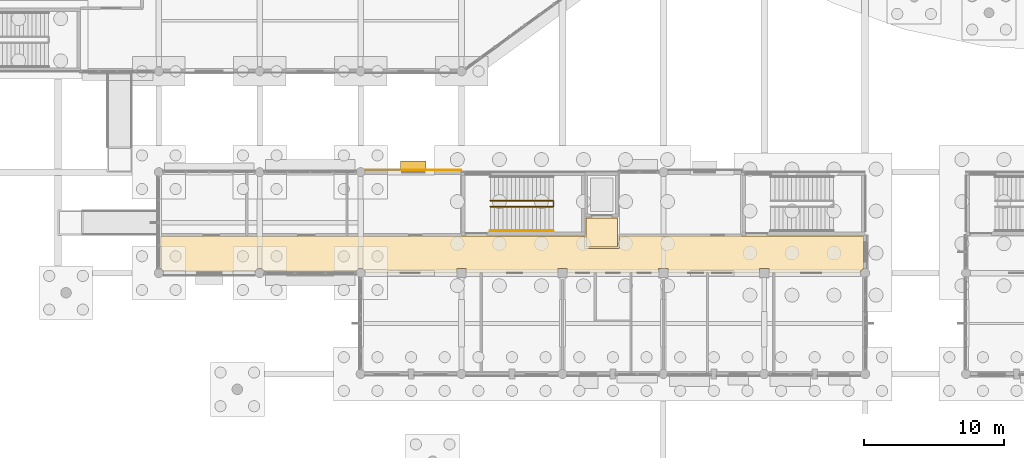
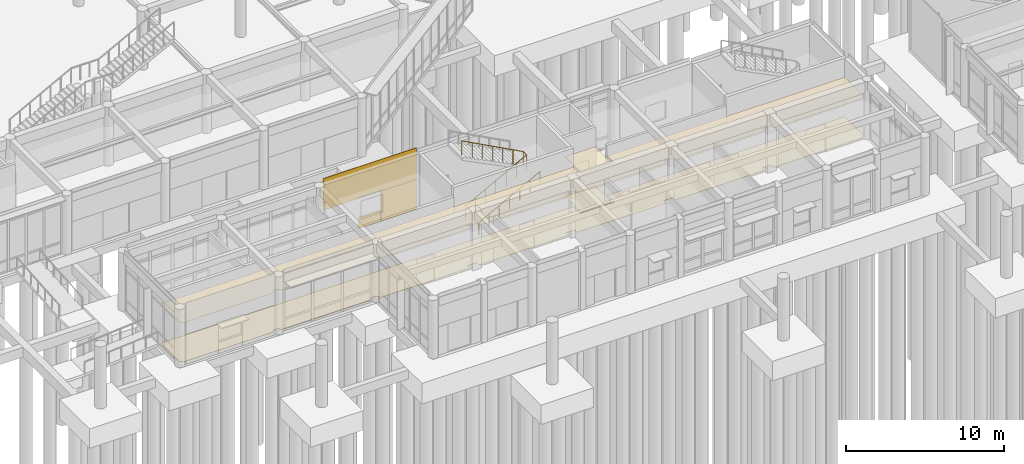
# One storey, part 76 of 103: 7 coverings, 2 railings, 1 shading device.
"""IFC4 building model written with IfcOpenShell, lengths in metres."""

from ifc_helpers import new_model, si_unit, direction, frame, origin, origin_2d, place, context, subcontext, project, spatial, polyline, rectangle, circle, outline, extrude, material, layer, layer_set, type_object, element, save


model = new_model("IFC4")

# Units and contexts
model_context = context("Model", 3, precision=1e-05, world=origin(), true_north=direction((0.0, 1.0)))
body_context = subcontext(model_context, "Body", "Model", "MODEL_VIEW")
ifc_project = project(units=[si_unit("LENGTHUNIT", "METRE"), si_unit("AREAUNIT", "SQUARE_METRE"), si_unit("VOLUMEUNIT", "CUBIC_METRE"), si_unit("PLANEANGLEUNIT", "RADIAN"), si_unit("MASSUNIT", "GRAM", prefix="KILO")], contexts=[model_context])

# Site, building, storey
site_placement = place(None, origin())
site = spatial("IfcSite", under=ifc_project, at=site_placement, CompositionType="ELEMENT")
building_placement = place(site_placement, origin())
building = spatial("IfcBuilding", under=site, at=building_placement, Name="Namkhue Oval Health Centre", CompositionType="ELEMENT")
storey_placement = place(building_placement, origin())
storey = spatial("IfcBuildingStorey", under=building, at=storey_placement, Name="L00", CompositionType="ELEMENT", Elevation=0.0)

# Coverings
ifc_material_1 = material(Name="Acoustic mineral-fibre cleanroom ceiling", Category="gypsum")
ifc_layer_1 = layer(ifc_material_1, 0.02001953125)
ifc_layer_set_1 = layer_set([ifc_layer_1], Name="Acoustic mineral-fibre cleanroom ceiling")
covering_type_1 = type_object("IfcCoveringType", Name="ACOUSTIC CLEANROOM CEILING 20", PredefinedType="CEILING", material=ifc_layer_set_1)
covering_1_placement = place(storey_placement, frame((0.0, 0.0, 3.050048828125)))
element("IfcCovering", 1, at=covering_1_placement, inside=storey, type_object=covering_type_1, Name="Acoustic Ceiling L00-LL5 Lift Lobby LF-05", PredefinedType="CEILING", context=body_context, shape_type="SweptSolid", body=[
    extrude(outline(polyline([(66.47998046875, 23.47998046875), (66.47998046875, 25.52001953125), (68.719970703125, 25.52001953125), (68.719970703125, 23.47998046875), (66.47998046875, 23.47998046875)])), origin(), (0.0, 0.0, 1.0), 0.02001953125),
])
covering_2_placement = place(storey_placement, frame((0.0, 0.0, 3.050048828125)))
element("IfcCovering", 2, at=covering_2_placement, inside=storey, type_object=covering_type_1, Name="Acoustic Ceiling L00-V4-C1 V4 Clinical Corridor", PredefinedType="CEILING", context=body_context, shape_type="SweptSolid", body=[
    extrude(outline(polyline([(43.5078125, 21.72509765625), (43.489990234375, 21.767578125), (43.43701171875, 21.8369140625), (43.367431640625, 21.89013671875), (43.28662109375, 21.923583984375), (43.199951171875, 21.93505859375), (43.11328125, 21.923583984375), (43.032470703125, 21.89013671875), (42.963134765625, 21.8369140625), (42.909912109375, 21.767578125), (42.892333984375, 21.72509765625), (36.3076171875, 21.72509765625), (36.2900390625, 21.767578125), (36.23681640625, 21.8369140625), (36.16748046875, 21.89013671875), (36.125, 21.90771484375), (36.125, 24.260009765625), (66.360107421875, 24.260009765625), (66.360107421875, 23.39990234375), (66.363037109375, 23.384765625), (66.37158203125, 23.37158203125), (66.384765625, 23.363037109375), (66.39990234375, 23.360107421875), (68.800048828125, 23.360107421875), (68.815185546875, 23.363037109375), (68.833251953125, 23.377685546875), (68.840087890625, 23.39990234375), (68.840087890625, 24.260009765625), (86.27490234375, 24.260009765625), (86.27490234375, 21.90771484375), (86.232421875, 21.89013671875), (86.1630859375, 21.8369140625), (86.10986328125, 21.767578125), (86.076416015625, 21.686767578125), (86.0703125, 21.639892578125), (79.534912109375, 21.639892578125), (79.534912109375, 21.93505859375), (78.864990234375, 21.93505859375), (78.864990234375, 21.639892578125), (72.3349609375, 21.639892578125), (72.3349609375, 21.93505859375), (71.6650390625, 21.93505859375), (71.6650390625, 21.639892578125), (65.135009765625, 21.639892578125), (65.135009765625, 21.93505859375), (64.465087890625, 21.93505859375), (64.465087890625, 21.639892578125), (57.93505859375, 21.639892578125), (57.93505859375, 21.93505859375), (57.264892578125, 21.93505859375), (57.264892578125, 21.639892578125), (50.729736328125, 21.639892578125), (50.7236328125, 21.686767578125), (50.690185546875, 21.767578125), (50.636962890625, 21.8369140625), (50.5673828125, 21.89013671875), (50.48681640625, 21.923583984375), (50.39990234375, 21.93505859375), (50.313232421875, 21.923583984375), (50.232421875, 21.89013671875), (50.1630859375, 21.8369140625), (50.10986328125, 21.767578125), (50.09228515625, 21.72509765625), (43.5078125, 21.72509765625)])), origin(), (0.0, 0.0, 1.0), 0.02001953125),
])
ifc_material_2 = material(Name="Homogeneous anti-bacterial clinical vinyl flooring", Category="plastic")
ifc_layer_2 = layer(ifc_material_2, 0.014892578125)
ifc_layer_set_2 = layer_set([ifc_layer_2], Name="Homogeneous anti-bacterial clinical vinyl flooring")
covering_type_2 = type_object("IfcCoveringType", Name="CLINICAL ANTIBACTERIAL VINYL FLOORING 15", PredefinedType="FLOORING", material=ifc_layer_set_2)
covering_3_placement = place(storey_placement, origin())
element("IfcCovering", 3, at=covering_3_placement, inside=storey, type_object=covering_type_2, Name="Clinical Flooring L00-LL5 Lift Lobby LF-05", PredefinedType="FLOORING", context=body_context, shape_type="SweptSolid", body=[
    extrude(outline(polyline([(66.47998046875, 23.47998046875), (66.47998046875, 25.52001953125), (68.719970703125, 25.52001953125), (68.719970703125, 23.47998046875), (66.47998046875, 23.47998046875)])), origin(), (0.0, 0.0, 1.0), 0.014892578125),
])
covering_4_placement = place(storey_placement, origin())
element("IfcCovering", 4, at=covering_4_placement, inside=storey, type_object=covering_type_2, Name="Clinical Flooring L00-V4-C1 V4 Clinical Corridor", PredefinedType="FLOORING", context=body_context, shape_type="SweptSolid", body=[
    extrude(outline(polyline([(43.5078125, 21.72509765625), (43.489990234375, 21.767578125), (43.43701171875, 21.8369140625), (43.367431640625, 21.89013671875), (43.28662109375, 21.923583984375), (43.199951171875, 21.93505859375), (43.11328125, 21.923583984375), (43.032470703125, 21.89013671875), (42.963134765625, 21.8369140625), (42.909912109375, 21.767578125), (42.892333984375, 21.72509765625), (36.3076171875, 21.72509765625), (36.2900390625, 21.767578125), (36.23681640625, 21.8369140625), (36.16748046875, 21.89013671875), (36.125, 21.90771484375), (36.125, 24.260009765625), (66.360107421875, 24.260009765625), (66.360107421875, 23.39990234375), (66.363037109375, 23.384765625), (66.37158203125, 23.37158203125), (66.384765625, 23.363037109375), (66.39990234375, 23.360107421875), (68.800048828125, 23.360107421875), (68.815185546875, 23.363037109375), (68.833251953125, 23.377685546875), (68.840087890625, 23.39990234375), (68.840087890625, 24.260009765625), (86.27490234375, 24.260009765625), (86.27490234375, 21.90771484375), (86.232421875, 21.89013671875), (86.1630859375, 21.8369140625), (86.10986328125, 21.767578125), (86.076416015625, 21.686767578125), (86.0703125, 21.639892578125), (79.534912109375, 21.639892578125), (79.534912109375, 21.93505859375), (78.864990234375, 21.93505859375), (78.864990234375, 21.639892578125), (72.3349609375, 21.639892578125), (72.3349609375, 21.93505859375), (71.6650390625, 21.93505859375), (71.6650390625, 21.639892578125), (65.135009765625, 21.639892578125), (65.135009765625, 21.93505859375), (64.465087890625, 21.93505859375), (64.465087890625, 21.639892578125), (57.93505859375, 21.639892578125), (57.93505859375, 21.93505859375), (57.264892578125, 21.93505859375), (57.264892578125, 21.639892578125), (50.729736328125, 21.639892578125), (50.7236328125, 21.686767578125), (50.690185546875, 21.767578125), (50.636962890625, 21.8369140625), (50.5673828125, 21.89013671875), (50.48681640625, 21.923583984375), (50.39990234375, 21.93505859375), (50.313232421875, 21.923583984375), (50.232421875, 21.89013671875), (50.1630859375, 21.8369140625), (50.10986328125, 21.767578125), (50.09228515625, 21.72509765625), (43.5078125, 21.72509765625)])), origin(), (0.0, 0.0, 1.0), 0.014892578125),
])

# Railings
ifc_material_3 = material(Name="Brushed stainless steel 316L balustrade with laminated glass infill", Category="steel")
railing_type_1 = type_object("IfcRailingType", Name="INTERIOR BALUSTRADE GUARD 1150", PredefinedType="BALUSTRADE", material=ifc_material_3)
railing_1_placement = place(storey_placement, frame((59.64990234375, 26.340087890625, 0.0)))
element("IfcRailing", 5, at=railing_1_placement, inside=storey, type_object=railing_type_1, Name="Stair ST-07 L00 Inner Well Guard", PredefinedType="BALUSTRADE", context=body_context, shape_type="SweptSolid", body=[
    extrude(circle(Radius=0.02392578125, at=origin_2d()), frame((0.0, 0.0, 1.1259765625), z_axis=(0.882360891967, 0.0, 0.470573327259), x_axis=(0.0, 1.0, 0.0)), (0.0, 0.0, 1.0), 5.099853515625),
    extrude(circle(Radius=0.02392578125, at=origin_2d()), frame((4.5, 0.0, 3.52587890625), z_axis=(0.0, 1.0, 0.0), x_axis=(-1.0, 0.0, 0.0)), (0.0, 0.0, 1.0), 0.419921875),
    extrude(circle(Radius=0.02392578125, at=origin_2d()), frame((4.5, 0.419921875, 3.52587890625), z_axis=(-0.882341014787, 0.0, 0.470610596591), x_axis=(0.0, -1.0, 0.0)), (0.0, 0.0, 1.0), 5.10009765625),
    extrude(circle(Radius=0.02099609375, at=origin_2d()), origin(), (0.0, 0.0, 1.0), 1.101806640625),
    extrude(circle(Radius=0.02099609375, at=origin_2d()), frame((0.75, 0.0, 0.39990234375)), (0.0, 0.0, 1.0), 1.101806640625),
    extrude(circle(Radius=0.02099609375, at=origin_2d()), frame((1.5, 0.0, 0.800048828125)), (0.0, 0.0, 1.0), 1.101806640625),
    extrude(circle(Radius=0.02099609375, at=origin_2d()), frame((2.25, 0.0, 1.199951171875)), (0.0, 0.0, 1.0), 1.101806640625),
    extrude(circle(Radius=0.02099609375, at=origin_2d()), frame((3.0, 0.0, 1.599853515625)), (0.0, 0.0, 1.0), 1.101806640625),
    extrude(circle(Radius=0.02099609375, at=origin_2d()), frame((3.75, 0.0, 2.0)), (0.0, 0.0, 1.0), 1.101806640625),
    extrude(circle(Radius=0.02099609375, at=origin_2d()), frame((4.5, 0.0, 2.39990234375)), (0.0, 0.0, 1.0), 1.101806640625),
    extrude(circle(Radius=0.02099609375, at=origin_2d()), frame((4.5, 0.419921875, 2.39990234375)), (0.0, 0.0, 1.0), 1.101806640625),
    extrude(circle(Radius=0.02099609375, at=origin_2d()), frame((3.75, 0.419921875, 2.7998046875)), (0.0, 0.0, 1.0), 1.101806640625),
    extrude(circle(Radius=0.02099609375, at=origin_2d()), frame((3.0, 0.419921875, 3.199951171875)), (0.0, 0.0, 1.0), 1.101806640625),
    extrude(circle(Radius=0.02099609375, at=origin_2d()), frame((2.25, 0.419921875, 3.60009765625)), (0.0, 0.0, 1.0), 1.101806640625),
    extrude(circle(Radius=0.02099609375, at=origin_2d()), frame((1.5, 0.419921875, 4.0)), (0.0, 0.0, 1.0), 1.101806640625),
    extrude(circle(Radius=0.02099609375, at=origin_2d()), frame((0.75, 0.419921875, 4.39990234375)), (0.0, 0.0, 1.0), 1.101806640625),
    extrude(circle(Radius=0.02099609375, at=origin_2d()), frame((0.0, 0.419921875, 4.800048828125)), (0.0, 0.0, 1.0), 1.101806640625),
])
ifc_material_4 = material(Name="Brushed stainless steel 304 tubular handrail", Category="steel")
railing_type_2 = type_object("IfcRailingType", Name="INTERIOR STAIR HANDRAIL 900", PredefinedType="HANDRAIL", material=ifc_material_4)
railing_2_placement = place(storey_placement, frame((59.64990234375, 24.6201171875, 0.0)))
element("IfcRailing", 6, at=railing_2_placement, inside=storey, type_object=railing_type_2, Name="Stair ST-07 L00 Flight 1 Handrail", PredefinedType="HANDRAIL", context=body_context, shape_type="SweptSolid", body=[
    extrude(circle(Radius=0.02392578125, at=origin_2d()), frame((0.0, 0.0, 0.8759765625), z_axis=(0.882360891967, 0.0, 0.470573327259), x_axis=(0.0, 1.0, 0.0)), (0.0, 0.0, 1.0), 5.099853515625),
    extrude(circle(Radius=0.02099609375, at=origin_2d()), origin(), (0.0, 0.0, 1.0), 0.851806640625),
    extrude(circle(Radius=0.02099609375, at=origin_2d()), frame((0.75, 0.0, 0.39990234375)), (0.0, 0.0, 1.0), 0.851806640625),
    extrude(circle(Radius=0.02099609375, at=origin_2d()), frame((1.5, 0.0, 0.800048828125)), (0.0, 0.0, 1.0), 0.851806640625),
    extrude(circle(Radius=0.02099609375, at=origin_2d()), frame((2.25, 0.0, 1.199951171875)), (0.0, 0.0, 1.0), 0.851806640625),
    extrude(circle(Radius=0.02099609375, at=origin_2d()), frame((3.0, 0.0, 1.599853515625)), (0.0, 0.0, 1.0), 0.851806640625),
    extrude(circle(Radius=0.02099609375, at=origin_2d()), frame((3.75, 0.0, 2.0)), (0.0, 0.0, 1.0), 0.851806640625),
    extrude(circle(Radius=0.02099609375, at=origin_2d()), frame((4.5, 0.0, 2.39990234375)), (0.0, 0.0, 1.0), 0.851806640625),
])

# Shading device
ifc_material_5 = material(Name="Anodised aluminium EN AW-6063 T6", Category="aluminium")
ifc_layer_3 = layer(ifc_material_5, 0.050048828125)
ifc_layer_set_3 = layer_set([ifc_layer_3], Name="Anodised aluminium EN AW-6063 T6")
shading_device_type = type_object("IfcShadingDeviceType", Name="STORM SHUTTER LOUVRE 650", PredefinedType="SHUTTER", material=ifc_layer_set_3)
shading_device_placement = place(storey_placement, frame((54.158935546875, 29.27001953125, 2.340087890625), z_axis=(0.0, 0.0, 1.0), x_axis=(-1.0, 0.0, 0.0)))
element("IfcShadingDevice", 7, at=shading_device_placement, inside=storey, type_object=shading_device_type, Name="Volume V4 L00 Window Monsoon Louvre 189", PredefinedType="SHUTTER", context=body_context, shape_type="SweptSolid", body=[
    extrude(rectangle(XDim=1.840087890625, YDim=0.64990234375, at=origin_2d()), origin(), (0.0, 0.0, 1.0), 0.06005859375),
])

# Coverings
ifc_material_6 = material(Name="White glass-fibre reinforced concrete GRC rainscreen cladding", Category="concrete")
ifc_layer_4 = layer(ifc_material_6, 0.02490234375)
ifc_layer_set_4 = layer_set([ifc_layer_4], Name="White glass-fibre reinforced concrete GRC rainscreen cladding")
covering_type_3 = type_object("IfcCoveringType", Name="WHITE GRC RAINSCREEN CLADDING 25", PredefinedType="CLADDING", material=ifc_layer_set_4)
covering_5_placement = place(storey_placement, frame((54.158935546875, 28.967041015625, 2.3349609375), z_axis=(0.0, 0.0, 1.0), x_axis=(-1.0, 0.0, 0.0)))
element("IfcCovering", 8, at=covering_5_placement, inside=storey, type_object=covering_type_3, Name="Volume V4 L00 Facade 94 White GRC Cladding 1", PredefinedType="CLADDING", context=body_context, shape_type="SweptSolid", body=[
    extrude(rectangle(XDim=6.837890625, YDim=0.02490234375, at=origin_2d()), origin(), (0.0, 0.0, 1.0), 2.455078125),
])
covering_6_placement = place(storey_placement, frame((56.27587890625, 28.967041015625, 0.009765625), z_axis=(0.0, 0.0, 1.0), x_axis=(-1.0, 0.0, 0.0)))
element("IfcCovering", 9, at=covering_6_placement, inside=storey, type_object=covering_type_3, Name="Volume V4 L00 Facade 94 White GRC Cladding 2", PredefinedType="CLADDING", context=body_context, shape_type="SweptSolid", body=[
    extrude(rectangle(XDim=2.60400390625, YDim=0.02490234375, at=origin_2d()), origin(), (0.0, 0.0, 1.0), 2.320068359375),
])
covering_7_placement = place(storey_placement, frame((54.158935546875, 28.967041015625, 0.010009765625), z_axis=(0.0, 0.0, 1.0), x_axis=(-1.0, 0.0, 0.0)))
element("IfcCovering", 10, at=covering_7_placement, inside=storey, type_object=covering_type_3, Name="Volume V4 L00 Facade 94 White GRC Cladding 3", PredefinedType="CLADDING", context=body_context, shape_type="SweptSolid", body=[
    extrude(rectangle(XDim=1.6201171875, YDim=0.02490234375, at=origin_2d()), origin(), (0.0, 0.0, 1.0), 0.875),
])

save(model, "model.ifc")
